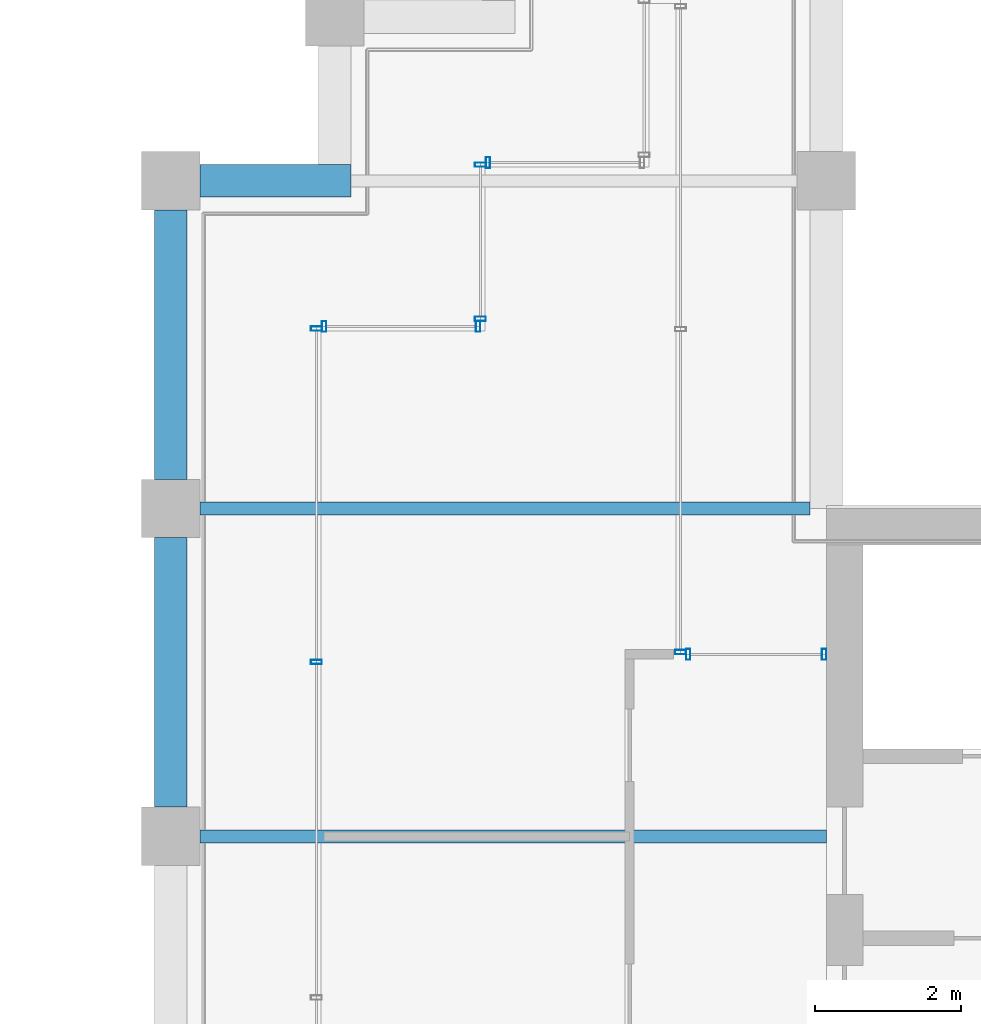
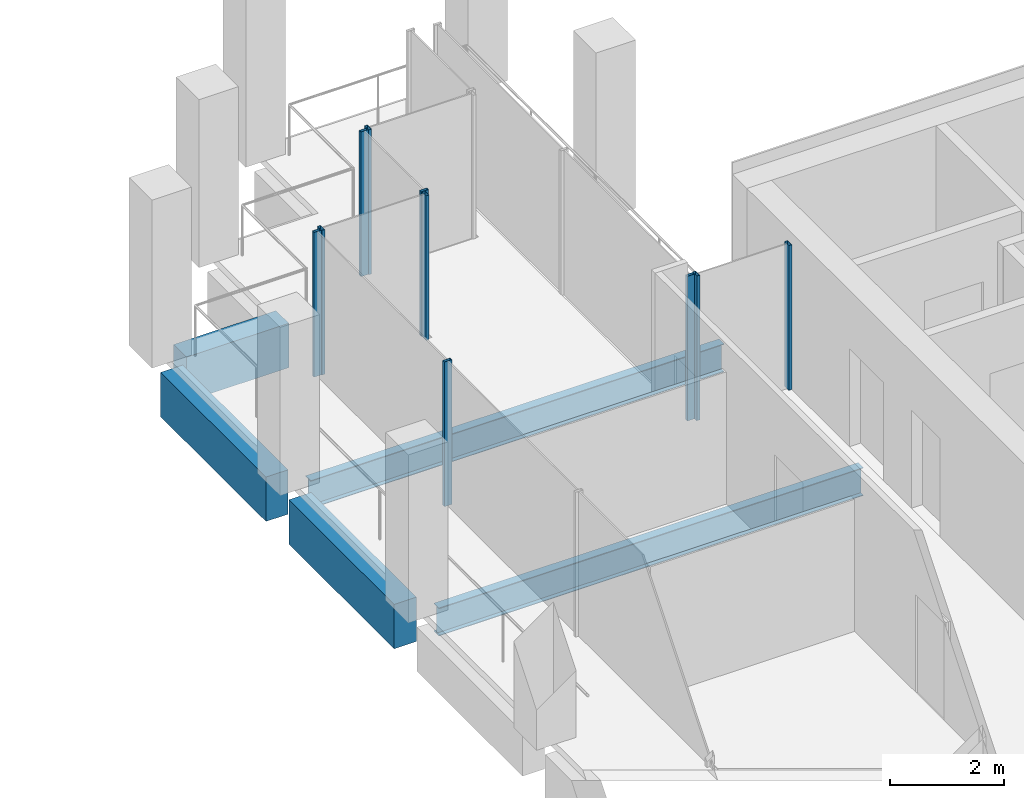
# One storey, part 32 of 40: 10 members, 5 beams, 6 elements without a shape of their own.
"""IFC4 building model written with IfcOpenShell, lengths in metres."""

from ifc_helpers import new_model, si_unit, direction, frame, origin, origin_2d, place, context, subcontext, project, spatial, rectangle, hollow_rectangle, i_section, extrude, material, material_profile, profile_set, type_object, element, aggregate, save


model = new_model("IFC4")

# Units and contexts
model_context = context("Model", 3, precision=1e-05, world=origin(), true_north=direction((0.0, 1.0)))
body_context = subcontext(model_context, "Body", "Model", "MODEL_VIEW")
ifc_project = project(units=[si_unit("LENGTHUNIT", "METRE"), si_unit("AREAUNIT", "SQUARE_METRE"), si_unit("VOLUMEUNIT", "CUBIC_METRE"), si_unit("PLANEANGLEUNIT", "RADIAN"), si_unit("MASSUNIT", "GRAM", prefix="KILO")], contexts=[model_context])

# Site, building, storey
site_placement = place(None, origin())
site = spatial("IfcSite", under=ifc_project, at=site_placement, CompositionType="ELEMENT")
building_placement = place(site_placement, origin())
building = spatial("IfcBuilding", under=site, at=building_placement, Name="Altepetl Exchange Towers", CompositionType="ELEMENT")
storey_placement = place(building_placement, frame((0.0, 0.0, 199.199951171875)))
storey = spatial("IfcBuildingStorey", under=building, at=storey_placement, Name="L50", CompositionType="ELEMENT", Elevation=199.199951171875)

# Beams
ifc_material_1 = material(Name="Steel S355", Category="steel")
ifc_material_profile_1 = material_profile(ifc_material_1, i_section(OverallWidth=0.177978515625, OverallDepth=0.59912109375, WebThickness=0.010009765625, FlangeThickness=0.0126953125, at=origin_2d()), Name="W24X55")
ifc_profile_set_1 = profile_set([ifc_material_profile_1], Name="Steel S355")
beam_type_1 = type_object("IfcBeamType", Name="Floor beam W24X55", PredefinedType="BEAM", material=ifc_profile_set_1)
beam_1_placement = place(storey_placement, frame((94.89990234375, 45.0, -0.449462890625), z_axis=(1.0, 0.0, 0.0), x_axis=(0.0, 1.0, 0.0)))
element("IfcBeam", 1, at=beam_1_placement, inside=storey, type_object=beam_type_1, Name="bm:B:L50:005", PredefinedType="BEAM", context=body_context, shape_type="SweptSolid", body=[
    extrude(i_section(OverallWidth=0.177978515625, OverallDepth=0.59912109375, WebThickness=0.010009765625, FlangeThickness=0.0126953125, at=origin_2d()), origin(), (0.0, 0.0, 1.0), 8.60009765625),
])
beam_2_placement = place(storey_placement, frame((94.89990234375, 49.5, -0.449462890625), z_axis=(1.0, 0.0, 0.0), x_axis=(0.0, 1.0, 0.0)))
element("IfcBeam", 2, at=beam_2_placement, inside=storey, type_object=beam_type_1, Name="bm:B:L50:006", PredefinedType="BEAM", context=body_context, shape_type="SweptSolid", body=[
    extrude(i_section(OverallWidth=0.177978515625, OverallDepth=0.59912109375, WebThickness=0.010009765625, FlangeThickness=0.0126953125, at=origin_2d()), origin(), (0.0, 0.0, 1.0), 8.375),
])

# Curtain wall, members
ifc_material_2 = material(Name="Aluminium 6063-T6 glazing", Category="aluminium")
curtain_wall_type = type_object("IfcCurtainWallType", Name="Loggia glazing system", PredefinedType="NOTDEFINED", material=ifc_material_2)
curtain_wall_1_placement = place(storey_placement, origin())
curtain_wall_1 = element("IfcCurtainWall", 3, at=curtain_wall_1_placement, inside=storey, type_object=curtain_wall_type, Name="CW1 run", PredefinedType="NOTDEFINED")
ifc_material_3 = material(Name="Aluminium 6063-T6", Category="aluminium")
ifc_material_profile_2 = material_profile(ifc_material_3, hollow_rectangle(XDim=0.06005859375, YDim=0.14990234375, WallThickness=0.0029296875, at=origin_2d()), Name="Mullion 60x150 aluminium")
ifc_profile_set_2 = profile_set([ifc_material_profile_2], Name="Aluminium 6063-T6")
member_type = type_object("IfcMemberType", Name="Mullion 60x150 aluminium", PredefinedType="MULLION", material=ifc_profile_set_2)
member_1_placement = place(storey_placement, frame((103.469970703125, 47.5, 0.0), z_axis=(0.0, 0.0, 1.0), x_axis=(-1.0, 0.0, 0.0)))
member_1 = element("IfcMember", 4, at=member_1_placement, type_object=member_type, Name="MU1 mullion", PredefinedType="MULLION", context=body_context, shape_type="SweptSolid", body=[
    extrude(hollow_rectangle(XDim=0.06005859375, YDim=0.14990234375, WallThickness=0.0029296875, at=origin_2d()), origin(), (0.0, 0.0, 1.0), 3.10009765625),
])
member_2_placement = place(storey_placement, frame((101.60498046875, 47.5, 0.0), z_axis=(0.0, 0.0, 1.0), x_axis=(-1.0, 0.0, 0.0)))
member_2 = element("IfcMember", 5, at=member_2_placement, type_object=member_type, Name="MU1 mullion", PredefinedType="MULLION", context=body_context, shape_type="SweptSolid", body=[
    extrude(hollow_rectangle(XDim=0.06005859375, YDim=0.14990234375, WallThickness=0.0029296875, at=origin_2d()), origin(), (0.0, 0.0, 1.0), 3.10009765625),
])
aggregate(curtain_wall_1, [member_1, member_2])

# Curtain wall, member
curtain_wall_2_placement = place(storey_placement, origin())
curtain_wall_2 = element("IfcCurtainWall", 6, at=curtain_wall_2_placement, inside=storey, type_object=curtain_wall_type, Name="CW1 run", PredefinedType="NOTDEFINED")
member_3_placement = place(storey_placement, frame((101.5, 47.530029296875, 0.0), z_axis=(0.0, 0.0, 1.0), x_axis=(0.0, 1.0, 0.0)))
member_3 = element("IfcMember", 7, at=member_3_placement, type_object=member_type, Name="MU1 mullion", PredefinedType="MULLION", context=body_context, shape_type="SweptSolid", body=[
    extrude(hollow_rectangle(XDim=0.06005859375, YDim=0.14990234375, WallThickness=0.0029296875, at=origin_2d()), origin(), (0.0, 0.0, 1.0), 3.10009765625),
])
aggregate(curtain_wall_2, [member_3])

curtain_wall_3_placement = place(storey_placement, origin())
curtain_wall_3 = element("IfcCurtainWall", 8, at=curtain_wall_3_placement, inside=storey, type_object=curtain_wall_type, Name="CW1 run", PredefinedType="NOTDEFINED")
member_4_placement = place(storey_placement, frame((98.85498046875, 54.25, 0.0), z_axis=(0.0, 0.0, 1.0), x_axis=(-1.0, 0.0, 0.0)))
member_4 = element("IfcMember", 9, at=member_4_placement, type_object=member_type, Name="MU1 mullion", PredefinedType="MULLION", context=body_context, shape_type="SweptSolid", body=[
    extrude(hollow_rectangle(XDim=0.06005859375, YDim=0.14990234375, WallThickness=0.0029296875, at=origin_2d()), origin(), (0.0, 0.0, 1.0), 3.10009765625),
])
aggregate(curtain_wall_3, [member_4])

# Curtain wall, members
curtain_wall_4_placement = place(storey_placement, origin())
curtain_wall_4 = element("IfcCurtainWall", 10, at=curtain_wall_4_placement, inside=storey, type_object=curtain_wall_type, Name="CW1 run", PredefinedType="NOTDEFINED")
member_5_placement = place(storey_placement, frame((98.75, 54.219970703125, 0.0), z_axis=(0.0, 0.0, 1.0), x_axis=(0.0, -1.0, 0.0)))
member_5 = element("IfcMember", 11, at=member_5_placement, type_object=member_type, Name="MU1 mullion", PredefinedType="MULLION", context=body_context, shape_type="SweptSolid", body=[
    extrude(hollow_rectangle(XDim=0.06005859375, YDim=0.14990234375, WallThickness=0.0029296875, at=origin_2d()), origin(), (0.0, 0.0, 1.0), 3.10009765625),
])
member_6_placement = place(storey_placement, frame((98.75, 52.10498046875, 0.0), z_axis=(0.0, 0.0, 1.0), x_axis=(0.0, -1.0, 0.0)))
member_6 = element("IfcMember", 12, at=member_6_placement, type_object=member_type, Name="MU1 mullion", PredefinedType="MULLION", context=body_context, shape_type="SweptSolid", body=[
    extrude(hollow_rectangle(XDim=0.06005859375, YDim=0.14990234375, WallThickness=0.0029296875, at=origin_2d()), origin(), (0.0, 0.0, 1.0), 3.10009765625),
])
aggregate(curtain_wall_4, [member_5, member_6])

curtain_wall_5_placement = place(storey_placement, origin())
curtain_wall_5 = element("IfcCurtainWall", 13, at=curtain_wall_5_placement, inside=storey, type_object=curtain_wall_type, Name="CW1 run", PredefinedType="NOTDEFINED")
member_7_placement = place(storey_placement, frame((98.719970703125, 52.0, 0.0), z_axis=(0.0, 0.0, 1.0), x_axis=(-1.0, 0.0, 0.0)))
member_7 = element("IfcMember", 14, at=member_7_placement, type_object=member_type, Name="MU1 mullion", PredefinedType="MULLION", context=body_context, shape_type="SweptSolid", body=[
    extrude(hollow_rectangle(XDim=0.06005859375, YDim=0.14990234375, WallThickness=0.0029296875, at=origin_2d()), origin(), (0.0, 0.0, 1.0), 3.10009765625),
])
member_8_placement = place(storey_placement, frame((96.60498046875, 52.0, 0.0), z_axis=(0.0, 0.0, 1.0), x_axis=(-1.0, 0.0, 0.0)))
member_8 = element("IfcMember", 15, at=member_8_placement, type_object=member_type, Name="MU1 mullion", PredefinedType="MULLION", context=body_context, shape_type="SweptSolid", body=[
    extrude(hollow_rectangle(XDim=0.06005859375, YDim=0.14990234375, WallThickness=0.0029296875, at=origin_2d()), origin(), (0.0, 0.0, 1.0), 3.10009765625),
])
aggregate(curtain_wall_5, [member_7, member_8])

curtain_wall_6_placement = place(storey_placement, origin())
curtain_wall_6 = element("IfcCurtainWall", 16, at=curtain_wall_6_placement, inside=storey, type_object=curtain_wall_type, Name="CW1 run", PredefinedType="NOTDEFINED")
member_9_placement = place(storey_placement, frame((96.5, 51.969970703125, 0.0), z_axis=(0.0, 0.0, 1.0), x_axis=(0.0, -1.0, 0.0)))
member_9 = element("IfcMember", 17, at=member_9_placement, type_object=member_type, Name="MU1 mullion", PredefinedType="MULLION", context=body_context, shape_type="SweptSolid", body=[
    extrude(hollow_rectangle(XDim=0.06005859375, YDim=0.14990234375, WallThickness=0.0029296875, at=origin_2d()), origin(), (0.0, 0.0, 1.0), 3.10009765625),
])
member_10_placement = place(storey_placement, frame((96.5, 47.393798828125, 0.0), z_axis=(0.0, 0.0, 1.0), x_axis=(0.0, -1.0, 0.0)))
member_10 = element("IfcMember", 18, at=member_10_placement, type_object=member_type, Name="MU1 mullion", PredefinedType="MULLION", context=body_context, shape_type="SweptSolid", body=[
    extrude(hollow_rectangle(XDim=0.06005859375, YDim=0.14990234375, WallThickness=0.0029296875, at=origin_2d()), origin(), (0.0, 0.0, 1.0), 3.10009765625),
])
aggregate(curtain_wall_6, [member_9, member_10])

# Beams
ifc_material_4 = material(Name="Concrete C50/60 precast with cantera rosa facing", Category="concrete")
ifc_material_profile_3 = material_profile(ifc_material_4, rectangle(XDim=0.449951171875, YDim=0.949951171875, at=origin_2d()), Name="450 x 950")
ifc_profile_set_3 = profile_set([ifc_material_profile_3], Name="Concrete C50/60 precast with cantera rosa facing")
beam_type_2 = type_object("IfcBeamType", Name="Spandrel beam 450x950 cantera rosa", PredefinedType="SPANDREL", material=ifc_profile_set_3)
beam_3_placement = place(storey_placement, frame((96.97509765625, 54.0, -0.625), z_axis=(-1.0, 0.0, 0.0), x_axis=(0.0, -1.0, 0.0)))
element("IfcBeam", 19, at=beam_3_placement, inside=storey, type_object=beam_type_2, Name="sp:B:L50:014", PredefinedType="SPANDREL", context=body_context, shape_type="SweptSolid", body=[
    extrude(rectangle(XDim=0.449951171875, YDim=0.949951171875, at=origin_2d()), origin(), (0.0, 0.0, 1.0), 2.0751953125),
])
for number, where, z_axis, x_axis, name in (
    (20, (94.5, 53.60009765625, -0.625), (0.0, -1.0, 0.0), (1.0, 0.0, 0.0), "sp:B:L50:015"),
    (21, (94.5, 49.10009765625, -0.625), (0.0, -1.0, 0.0), (1.0, 0.0, 0.0), "sp:B:L50:016"),
):
    element("IfcBeam", number, at=place(storey_placement, frame(where, z_axis=z_axis, x_axis=x_axis)), inside=storey, type_object=beam_type_2, Name=name, PredefinedType="SPANDREL", context=body_context, shape_type="SweptSolid", body=[
        extrude(rectangle(XDim=0.449951171875, YDim=0.949951171875, at=origin_2d()), origin(), (0.0, 0.0, 1.0), 3.7001953125),
    ])

save(model, "model.ifc")
